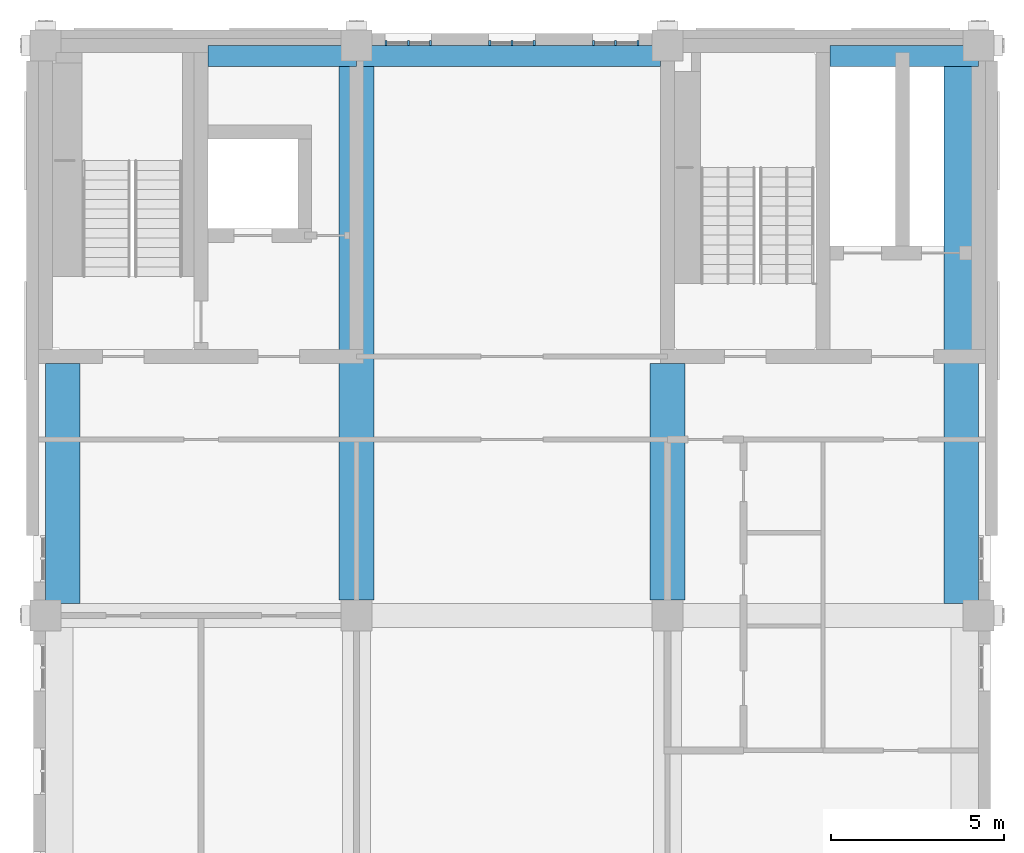
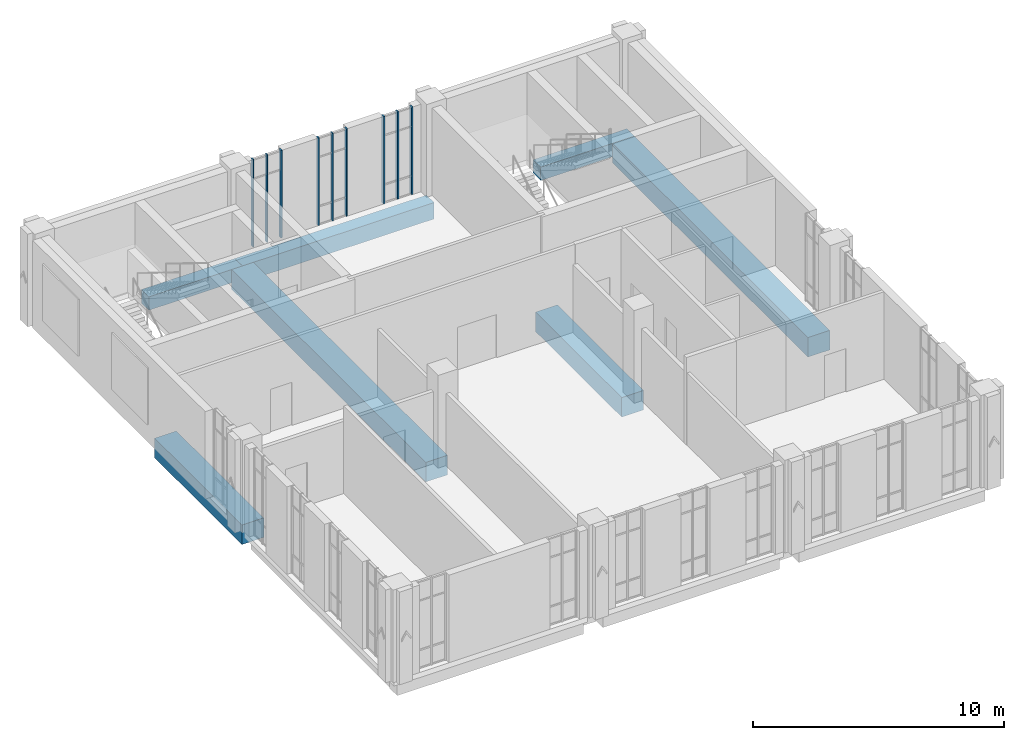
# One storey, part 3 of 13: 9 members, 7 beams, 3 elements without a shape of their own.
"""IFC4 building model written with IfcOpenShell, lengths in metres."""

from ifc_helpers import new_model, si_unit, direction, frame, origin, origin_2d, place, context, subcontext, project, spatial, rectangle, extrude, material, layer, layer_set, material_profile, profile_set, type_object, element, aggregate, save


model = new_model("IFC4")

# Units and contexts
model_context = context("Model", 3, precision=1e-05, world=origin(), true_north=direction((0.0, 1.0)))
body_context = subcontext(model_context, "Body", "Model", "MODEL_VIEW")
ifc_project = project(units=[si_unit("LENGTHUNIT", "METRE"), si_unit("AREAUNIT", "SQUARE_METRE"), si_unit("VOLUMEUNIT", "CUBIC_METRE"), si_unit("PLANEANGLEUNIT", "RADIAN"), si_unit("MASSUNIT", "GRAM", prefix="KILO")], contexts=[model_context])

# Site, building, storey
site_placement = place(None, origin())
site = spatial("IfcSite", under=ifc_project, at=site_placement, CompositionType="ELEMENT")
building_placement = place(site_placement, origin())
building = spatial("IfcBuilding", under=site, at=building_placement, Name="Aurelan Courthouse", CompositionType="ELEMENT")
storey_placement = place(building_placement, frame((0.0, 0.0, 48.89990234375)))
storey = spatial("IfcBuildingStorey", under=building, at=storey_placement, Name="L09", CompositionType="ELEMENT", Elevation=48.89990234375)

# Curtain wall, members
ifc_material_1 = material(Name="Bronze-finished aluminium and glass", Category="aluminium")
ifc_layer = layer(ifc_material_1, 0.14990234375)
ifc_layer_set = layer_set([ifc_layer], Name="Bronze-finished aluminium and glass")
curtain_wall_type = type_object("IfcCurtainWallType", Name="Curtain wall 1350 x 4250", PredefinedType="NOTDEFINED", material=ifc_layer_set)
curtain_wall_1_placement = place(storey_placement, origin())
curtain_wall_1 = element("IfcCurtainWall", 1, at=curtain_wall_1_placement, inside=storey, type_object=curtain_wall_type, Name="Curtain wall CW-V5-L09-N01", PredefinedType="NOTDEFINED")
ifc_material_2 = material(Name="Bronze-finished aluminium", Category="aluminium")
ifc_material_profile_1 = material_profile(ifc_material_2, rectangle(XDim=0.14990234375, YDim=0.06005859375, at=origin_2d()), Name="Bronze mullion 60 x 150")
ifc_profile_set_1 = profile_set([ifc_material_profile_1], Name="Bronze-finished aluminium")
member_type = type_object("IfcMemberType", Name="Curtain wall mullion 60 x 150", PredefinedType="MULLION", material=ifc_profile_set_1)
member_1_placement = place(storey_placement, frame((9.85498046875, 28.574951171875, 0.0), z_axis=(0.0, 0.0, 1.0), x_axis=(0.0, 1.0, 0.0)))
member_1 = element("IfcMember", 2, at=member_1_placement, type_object=member_type, Name="CW-V5-L09-N01 mullion 1", PredefinedType="MULLION", context=body_context, shape_type="SweptSolid", body=[
    extrude(rectangle(XDim=0.14990234375, YDim=0.06005859375, at=origin_2d()), origin(), (0.0, 0.0, 1.0), 4.25),
])
member_2_placement = place(storey_placement, frame((10.5, 28.574951171875, 0.0), z_axis=(0.0, 0.0, 1.0), x_axis=(0.0, 1.0, 0.0)))
member_2 = element("IfcMember", 3, at=member_2_placement, type_object=member_type, Name="CW-V5-L09-N01 mullion 2", PredefinedType="MULLION", context=body_context, shape_type="SweptSolid", body=[
    extrude(rectangle(XDim=0.14990234375, YDim=0.06005859375, at=origin_2d()), origin(), (0.0, 0.0, 1.0), 4.25),
])
member_3_placement = place(storey_placement, frame((11.14501953125, 28.574951171875, 0.0), z_axis=(0.0, 0.0, 1.0), x_axis=(0.0, 1.0, 0.0)))
member_3 = element("IfcMember", 4, at=member_3_placement, type_object=member_type, Name="CW-V5-L09-N01 mullion 3", PredefinedType="MULLION", context=body_context, shape_type="SweptSolid", body=[
    extrude(rectangle(XDim=0.14990234375, YDim=0.06005859375, at=origin_2d()), origin(), (0.0, 0.0, 1.0), 4.25),
])
aggregate(curtain_wall_1, [member_1, member_2, member_3])

curtain_wall_2_placement = place(storey_placement, origin())
curtain_wall_2 = element("IfcCurtainWall", 5, at=curtain_wall_2_placement, inside=storey, type_object=curtain_wall_type, Name="Curtain wall CW-V5-L09-N02", PredefinedType="NOTDEFINED")
member_4_placement = place(storey_placement, frame((12.85498046875, 28.574951171875, 0.0), z_axis=(0.0, 0.0, 1.0), x_axis=(0.0, 1.0, 0.0)))
member_4 = element("IfcMember", 6, at=member_4_placement, type_object=member_type, Name="CW-V5-L09-N02 mullion 1", PredefinedType="MULLION", context=body_context, shape_type="SweptSolid", body=[
    extrude(rectangle(XDim=0.14990234375, YDim=0.06005859375, at=origin_2d()), origin(), (0.0, 0.0, 1.0), 4.25),
])
member_5_placement = place(storey_placement, frame((13.5, 28.574951171875, 0.0), z_axis=(0.0, 0.0, 1.0), x_axis=(0.0, 1.0, 0.0)))
member_5 = element("IfcMember", 7, at=member_5_placement, type_object=member_type, Name="CW-V5-L09-N02 mullion 2", PredefinedType="MULLION", context=body_context, shape_type="SweptSolid", body=[
    extrude(rectangle(XDim=0.14990234375, YDim=0.06005859375, at=origin_2d()), origin(), (0.0, 0.0, 1.0), 4.25),
])
member_6_placement = place(storey_placement, frame((14.14501953125, 28.574951171875, 0.0), z_axis=(0.0, 0.0, 1.0), x_axis=(0.0, 1.0, 0.0)))
member_6 = element("IfcMember", 8, at=member_6_placement, type_object=member_type, Name="CW-V5-L09-N02 mullion 3", PredefinedType="MULLION", context=body_context, shape_type="SweptSolid", body=[
    extrude(rectangle(XDim=0.14990234375, YDim=0.06005859375, at=origin_2d()), origin(), (0.0, 0.0, 1.0), 4.25),
])
aggregate(curtain_wall_2, [member_4, member_5, member_6])

curtain_wall_3_placement = place(storey_placement, origin())
curtain_wall_3 = element("IfcCurtainWall", 9, at=curtain_wall_3_placement, inside=storey, type_object=curtain_wall_type, Name="Curtain wall CW-V5-L09-N03", PredefinedType="NOTDEFINED")
member_7_placement = place(storey_placement, frame((15.85498046875, 28.574951171875, 0.0), z_axis=(0.0, 0.0, 1.0), x_axis=(0.0, 1.0, 0.0)))
member_7 = element("IfcMember", 10, at=member_7_placement, type_object=member_type, Name="CW-V5-L09-N03 mullion 1", PredefinedType="MULLION", context=body_context, shape_type="SweptSolid", body=[
    extrude(rectangle(XDim=0.14990234375, YDim=0.06005859375, at=origin_2d()), origin(), (0.0, 0.0, 1.0), 4.25),
])
member_8_placement = place(storey_placement, frame((16.5, 28.574951171875, 0.0), z_axis=(0.0, 0.0, 1.0), x_axis=(0.0, 1.0, 0.0)))
member_8 = element("IfcMember", 11, at=member_8_placement, type_object=member_type, Name="CW-V5-L09-N03 mullion 2", PredefinedType="MULLION", context=body_context, shape_type="SweptSolid", body=[
    extrude(rectangle(XDim=0.14990234375, YDim=0.06005859375, at=origin_2d()), origin(), (0.0, 0.0, 1.0), 4.25),
])
member_9_placement = place(storey_placement, frame((17.14501953125, 28.574951171875, 0.0), z_axis=(0.0, 0.0, 1.0), x_axis=(0.0, 1.0, 0.0)))
member_9 = element("IfcMember", 12, at=member_9_placement, type_object=member_type, Name="CW-V5-L09-N03 mullion 3", PredefinedType="MULLION", context=body_context, shape_type="SweptSolid", body=[
    extrude(rectangle(XDim=0.14990234375, YDim=0.06005859375, at=origin_2d()), origin(), (0.0, 0.0, 1.0), 4.25),
])
aggregate(curtain_wall_3, [member_7, member_8, member_9])

# Beams
ifc_material_3 = material(Name="Concrete C50", Category="concrete")
ifc_material_profile_2 = material_profile(ifc_material_3, rectangle(XDim=1.0, YDim=0.949951171875, at=origin_2d()), Name="RC 1000 x 950")
ifc_profile_set_2 = profile_set([ifc_material_profile_2], Name="Concrete C50")
beam_type_1 = type_object("IfcBeamType", Name="PT girder 1000 x 950", PredefinedType="BEAM", material=ifc_profile_set_2)
beam_1_placement = place(storey_placement, frame((0.5, 12.35009765625, -0.724853515625), z_axis=(0.0, 1.0, 0.0), x_axis=(-1.0, 0.0, 0.0)))
element("IfcBeam", 13, at=beam_1_placement, inside=storey, type_object=beam_type_1, Name="Girder GB-1BC-E", PredefinedType="BEAM", context=body_context, shape_type="SweptSolid", body=[
    extrude(rectangle(XDim=1.0, YDim=0.949951171875, at=origin_2d()), origin(), (0.0, 0.0, 1.0), 6.949951171875),
])
beam_2_placement = place(storey_placement, frame((9.0, 12.449951171875, -0.724853515625), z_axis=(0.0, 1.0, 0.0), x_axis=(-1.0, 0.0, 0.0)))
element("IfcBeam", 14, at=beam_2_placement, inside=storey, type_object=beam_type_1, Name="Girder GB-2BC", PredefinedType="BEAM", context=body_context, shape_type="SweptSolid", body=[
    extrude(rectangle(XDim=1.0, YDim=0.949951171875, at=origin_2d()), origin(), (0.0, 0.0, 1.0), 15.449951171875),
])
beam_3_placement = place(storey_placement, frame((18.0, 12.449951171875, -0.724853515625), z_axis=(0.0, 1.0, 0.0), x_axis=(-1.0, 0.0, 0.0)))
element("IfcBeam", 15, at=beam_3_placement, inside=storey, type_object=beam_type_1, Name="Girder GB-3BC", PredefinedType="BEAM", context=body_context, shape_type="SweptSolid", body=[
    extrude(rectangle(XDim=1.0, YDim=0.949951171875, at=origin_2d()), origin(), (0.0, 0.0, 1.0), 6.85009765625),
])
beam_4_placement = place(storey_placement, frame((26.5, 12.35009765625, -0.724853515625), z_axis=(0.0, 1.0, 0.0), x_axis=(-1.0, 0.0, 0.0)))
element("IfcBeam", 16, at=beam_4_placement, inside=storey, type_object=beam_type_1, Name="Girder GB-4BC-E", PredefinedType="BEAM", context=body_context, shape_type="SweptSolid", body=[
    extrude(rectangle(XDim=1.0, YDim=0.949951171875, at=origin_2d()), origin(), (0.0, 0.0, 1.0), 15.5498046875),
])
ifc_material_profile_3 = material_profile(ifc_material_3, rectangle(XDim=0.60009765625, YDim=0.64990234375, at=origin_2d()), Name="RC 600 x 650")
ifc_profile_set_3 = profile_set([ifc_material_profile_3], Name="Concrete C50")
beam_type_2 = type_object("IfcBeamType", Name="RC spandrel beam 600 x 650", PredefinedType="SPANDREL", material=ifc_profile_set_3)
for number, where, z_axis, x_axis, name in (
    (17, (4.699951171875, 28.199951171875, -0.574951171875), (1.0, 0.0, 0.0), (0.0, 1.0, 0.0), "Spandrel beam SB-C-1-2"),
    (18, (22.699951171875, 28.199951171875, -0.574951171875), (1.0, 0.0, 0.0), (0.0, 1.0, 0.0), "Spandrel beam SB-C-3-4"),
):
    element("IfcBeam", number, at=place(storey_placement, frame(where, z_axis=z_axis, x_axis=x_axis)), inside=storey, type_object=beam_type_2, Name=name, PredefinedType="SPANDREL", context=body_context, shape_type="SweptSolid", body=[
        extrude(rectangle(XDim=0.60009765625, YDim=0.64990234375, at=origin_2d()), origin(), (0.0, 0.0, 1.0), 4.300048828125),
    ])
ifc_material_profile_4 = material_profile(ifc_material_3, rectangle(XDim=0.60009765625, YDim=0.800048828125, at=origin_2d()), Name="RC 600 x 800")
ifc_profile_set_4 = profile_set([ifc_material_profile_4], Name="Concrete C50")
beam_type_3 = type_object("IfcBeamType", Name="RC spandrel beam 600 x 800", PredefinedType="SPANDREL", material=ifc_profile_set_4)
beam_5_placement = place(storey_placement, frame((9.0, 28.199951171875, -0.64990234375), z_axis=(1.0, 0.0, 0.0), x_axis=(0.0, 1.0, 0.0)))
element("IfcBeam", 19, at=beam_5_placement, inside=storey, type_object=beam_type_3, Name="Spandrel beam SB-C-2-3", PredefinedType="SPANDREL", context=body_context, shape_type="SweptSolid", body=[
    extrude(rectangle(XDim=0.60009765625, YDim=0.800048828125, at=origin_2d()), origin(), (0.0, 0.0, 1.0), 8.800048828125),
])

save(model, "model.ifc")
